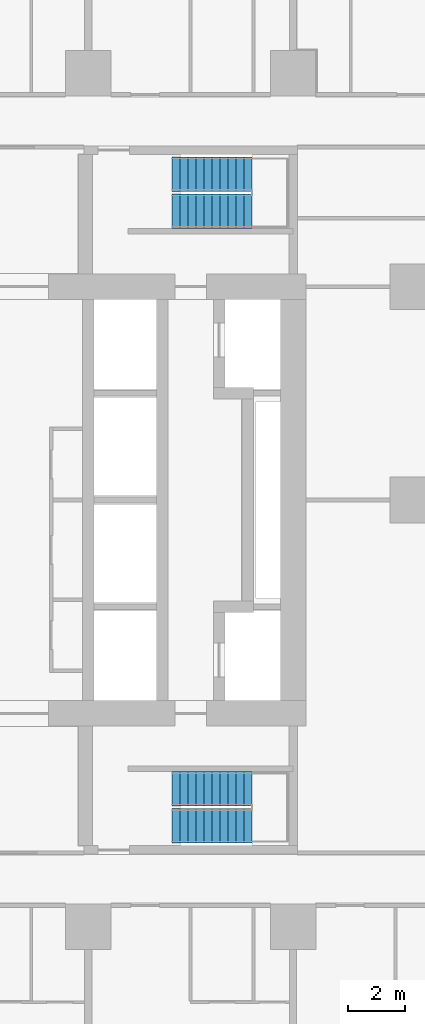
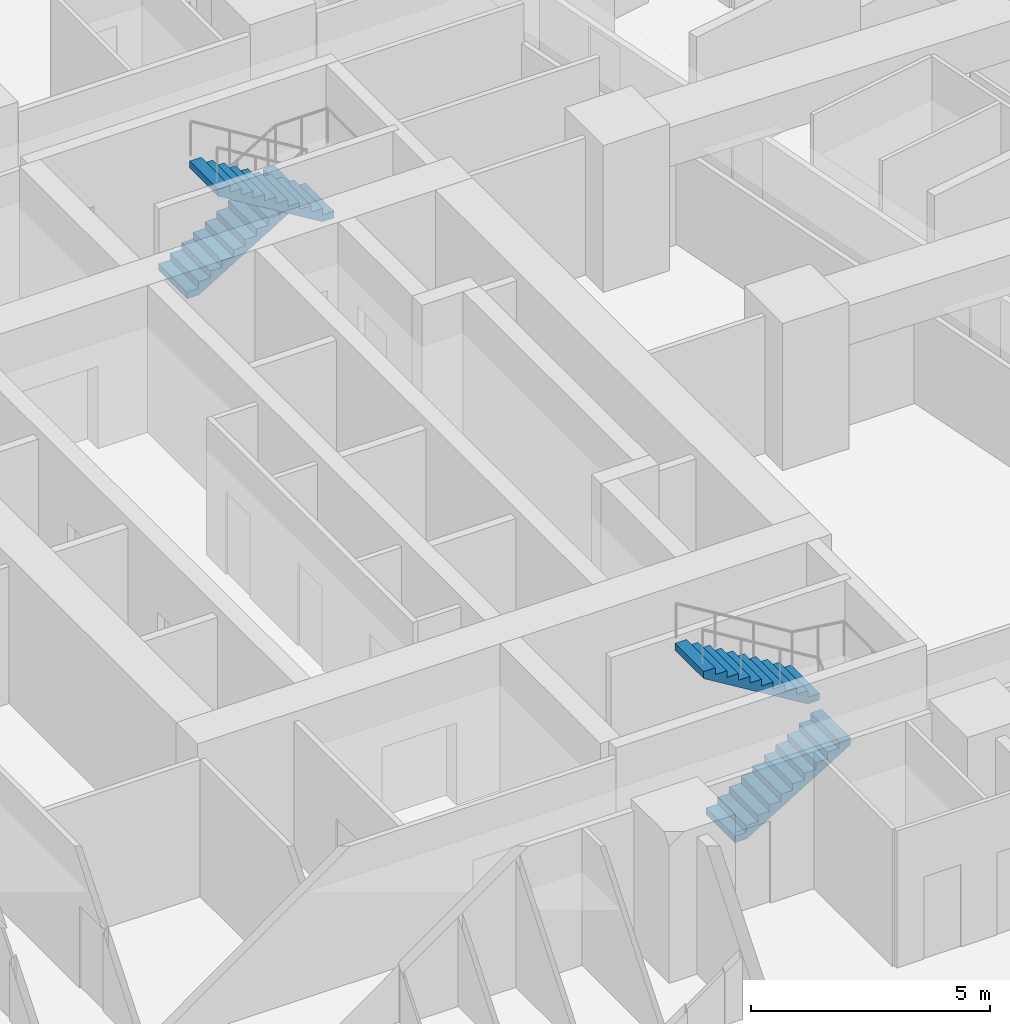
# One storey, part 11 of 14: 4 stair flights, 2 elements without a shape of their own.
"""IFC4 building model written with IfcOpenShell, lengths in metres."""

import ifcopenshell
import ifcopenshell.guid

model = None  # the IFC model being written
_history = None  # IfcOwnerHistory: only IFC2X3 demands one
_inside = {}  # id of a spatial element -> (the spatial element, [elements in it])
_under = {}  # id of a project, library or spatial element -> (it, [spatial elements below it])
_declared = {}  # id of a project -> (the project, [libraries it declares])
_typed = {}  # id of a type object -> (the type object, [elements of that type])
_made_of = {}  # id of a material, layer set ... -> (it, [elements and type objects made of it])


def new_model(schema):
    """Start an empty IFC model of exactly this schema.

    Asked for "IFC4X3", IfcOpenShell would pick the latest addendum, in which some entities
    have other attributes; the version numbers below select the first issue.
    IFC2X3 requires an IfcOwnerHistory on every rooted entity: one is made here for all.
    """
    global model, _history
    if schema == "IFC4X3":
        model = ifcopenshell.file(schema_version=(4, 3, 0, 0))
    else:
        model = ifcopenshell.file(schema=schema)
    _inside.clear()
    _under.clear()
    _declared.clear()
    _typed.clear()
    _made_of.clear()
    _history = None
    if model.schema == "IFC2X3":
        org = make("IfcOrganization", Name="unknown")
        user = make(
            "IfcPersonAndOrganization",
            ThePerson=make("IfcPerson", FamilyName="unknown"),
            TheOrganization=org,
        )
        app = make(
            "IfcApplication",
            ApplicationDeveloper=org,
            Version="unknown",
            ApplicationFullName="unknown",
            ApplicationIdentifier="unknown",
        )
        _history = make(
            "IfcOwnerHistory",
            OwningUser=user,
            OwningApplication=app,
            ChangeAction="ADDED",
            CreationDate=0,
        )
    return model


def make(cls, **values):
    """One entity of the class cls with the attributes given. An attribute that is None is left unset."""
    return model.create_entity(
        cls, **{name: value for name, value in values.items() if value is not None}
    )


def rooted(cls, **values):
    """An entity with a GlobalId (a new one), such as an element, a storey or a relation."""
    return make(cls, GlobalId=ifcopenshell.guid.new(), OwnerHistory=_history, **values)


def si_unit(unit_type, name, prefix=None):
    """IfcSIUnit, for example si_unit("LENGTHUNIT", "METRE", prefix="MILLI")."""
    return make("IfcSIUnit", UnitType=unit_type, Prefix=prefix, Name=name)


def assignment(units):
    """IfcUnitAssignment: the units of a project."""
    return None if units is None else make("IfcUnitAssignment", Units=units)


def point(xyz):
    """IfcCartesianPoint."""
    return None if xyz is None else make("IfcCartesianPoint", Coordinates=xyz)


def direction(xyz):
    """IfcDirection."""
    return None if xyz is None else make("IfcDirection", DirectionRatios=xyz)


def frame(location, z_axis=None, x_axis=None):
    """IfcAxis2Placement3D, a coordinate frame: its origin and axes. An axis left out is left unset."""
    return make(
        "IfcAxis2Placement3D",
        Location=point(location),
        Axis=direction(z_axis),
        RefDirection=direction(x_axis),
    )


def origin():
    """The frame at (0, 0, 0) with its axes left unset."""
    return frame((0.0, 0.0, 0.0))


def place(relative_to, where):
    """IfcLocalPlacement: puts the frame where relative to a parent placement (None: the world)."""
    return make(
        "IfcLocalPlacement", PlacementRelTo=relative_to, RelativePlacement=where
    )


def context(
    kind, dimensions, precision=None, world=None, true_north=None, identifier=None
):
    """IfcGeometricRepresentationContext, for example the 3D "Model" context."""
    return make(
        "IfcGeometricRepresentationContext",
        ContextIdentifier=identifier,
        ContextType=kind,
        CoordinateSpaceDimension=dimensions,
        Precision=precision,
        WorldCoordinateSystem=world,
        TrueNorth=true_north,
    )


def subcontext(parent, identifier, kind, view, scale=None):
    """IfcGeometricRepresentationSubContext, for example "Body" below "Model"."""
    return make(
        "IfcGeometricRepresentationSubContext",
        ContextIdentifier=identifier,
        ContextType=kind,
        ParentContext=parent,
        TargetScale=scale,
        TargetView=view,
    )


def project(units=None, contexts=None):
    """IfcProject with its units and contexts."""
    return rooted(
        "IfcProject",
        Name="project",
        RepresentationContexts=contexts,
        UnitsInContext=assignment(units),
    )


def spatial(cls, under=None, at=None, **own):
    """A site, building, storey or space (cls), placed at a placement, below another one or the project."""
    s = rooted(cls, ObjectPlacement=at, **own)
    if under is not None:
        _under.setdefault(under.id(), (under, []))[1].append(s)
    return s


def point_list(points):
    """IfcCartesianPointList2D or 3D."""
    cls = (
        "IfcCartesianPointList2D" if len(points[0]) == 2 else "IfcCartesianPointList3D"
    )
    return make(cls, CoordList=points)


def triangles(points, corners, closed=None, point_numbers=None):
    """IfcTriangulatedFaceSet: each triangle names its three corners, points numbered from 1."""
    return make(
        "IfcTriangulatedFaceSet",
        Coordinates=point_list(points),
        Closed=closed,
        CoordIndex=corners,
        PnIndex=point_numbers,
    )


def shape(context_of_items, identifier, shape_type, items):
    """IfcShapeRepresentation: the items that make up one representation, for example the "Body"."""
    return make(
        "IfcShapeRepresentation",
        ContextOfItems=context_of_items,
        RepresentationIdentifier=identifier,
        RepresentationType=shape_type,
        Items=items,
    )


def material(Name=None, Category=None):
    """IfcMaterial."""
    return make("IfcMaterial", Name=Name, Category=Category)


def made_of(thing, what):
    """Note that an element or type object is made of a material, layer set ...; save() writes the relation."""
    if what is not None:
        _made_of.setdefault(what.id(), (what, []))[1].append(thing)
    return thing


def type_object(cls, material=None, **own):
    """A type object (cls), such as IfcWallType, which elements share."""
    return made_of(rooted(cls, **own), material)


def element(
    cls,
    number,
    at=None,
    inside=None,
    cuts=None,
    type_object=None,
    material=None,
    context=None,
    identifier="Body",
    shape_type=None,
    held_by="IfcProductDefinitionShape",
    body=None,
    shapes=None,
    **own,
):
    """One element of the class cls, such as IfcWall. Its Tag is "e" and its number.

    at: its placement. inside: the storey or other place that contains it. cuts: it is an
    opening in that element (IfcRelVoidsElement). A single representation is given by context,
    identifier, shape_type and body (its items); several are given by shapes. held_by: the class
    of the entity that holds the representations. save() writes the other relations.
    """
    e = rooted(cls, Tag="e%d" % number, ObjectPlacement=at, **own)
    if body is not None:
        shapes = [shape(context, identifier, shape_type, body)]
    if shapes is not None:
        e.Representation = make(held_by, Representations=shapes)
    if inside is not None:
        _inside.setdefault(inside.id(), (inside, []))[1].append(e)
    if cuts is not None:
        rooted(
            "IfcRelVoidsElement", RelatingBuildingElement=cuts, RelatedOpeningElement=e
        )
    if type_object is not None:
        _typed.setdefault(type_object.id(), (type_object, []))[1].append(e)
    return made_of(e, material)


def aggregate(whole, parts):
    """IfcRelAggregates: a whole, such as a stair, and the parts it consists of."""
    return rooted("IfcRelAggregates", RelatingObject=whole, RelatedObjects=parts)


def save(model, path):
    """Write the relations noted so far, then the file.

    IfcRelAggregates (storeys below a building ...), IfcRelContainedInSpatialStructure (elements
    in a storey), IfcRelDefinesByType, IfcRelAssociatesMaterial and IfcRelDeclares: one each for
    every whole, place, type object, material and project.
    """
    for whole, parts in _under.values():
        aggregate(whole, parts)
    for where, things in _inside.values():
        rooted(
            "IfcRelContainedInSpatialStructure",
            RelatedElements=things,
            RelatingStructure=where,
        )
    for kind, things in _typed.values():
        rooted("IfcRelDefinesByType", RelatedObjects=things, RelatingType=kind)
    for what, things in _made_of.values():
        rooted("IfcRelAssociatesMaterial", RelatedObjects=things, RelatingMaterial=what)
    for by, libraries in _declared.values():
        rooted("IfcRelDeclares", RelatingContext=by, RelatedDefinitions=libraries)
    model.write(path)


model = new_model("IFC4")

# Units and contexts
model_context = context("Model", 3, precision=1e-05, world=origin(), true_north=direction((0.0, 1.0)))
body_context = subcontext(model_context, "Body", "Model", "MODEL_VIEW")
ifc_project = project(units=[si_unit("LENGTHUNIT", "METRE"), si_unit("AREAUNIT", "SQUARE_METRE"), si_unit("VOLUMEUNIT", "CUBIC_METRE"), si_unit("PLANEANGLEUNIT", "RADIAN"), si_unit("MASSUNIT", "GRAM", prefix="KILO")], contexts=[model_context])

# Site, building, storey
site_placement = place(None, origin())
site = spatial("IfcSite", under=ifc_project, at=site_placement, CompositionType="ELEMENT")
building_placement = place(site_placement, origin())
building = spatial("IfcBuilding", under=site, at=building_placement, Name="Sheger Commons Tower", CompositionType="ELEMENT")
storey_placement = place(building_placement, frame((0.0, 0.0, 122.89990234375)))
storey = spatial("IfcBuildingStorey", under=building, at=storey_placement, Name="L31", CompositionType="ELEMENT", Elevation=122.89990234375)

# Stair, stair flights
ifc_material_1 = material(Name="Concrete C35/45", Category="concrete")
stair_type = type_object("IfcStairType", Name="HALF-TURN STAIR 1200 RISE 3750", PredefinedType="HALF_TURN_STAIR", material=ifc_material_1)
stair_1_placement = place(storey_placement, origin())
stair_1 = element("IfcStair", 1, at=stair_1_placement, inside=storey, type_object=stair_type, Name="Stair S1 L31", PredefinedType="HALF_TURN_STAIR")
ifc_material_2 = material(Name="Concrete C35/45", Category="concrete")
stair_flight_type = type_object("IfcStairFlightType", Name="STAIR FLIGHT 1200 11 RISERS OF 170", PredefinedType="STRAIGHT", material=ifc_material_2)
stair_flight_1_placement = place(storey_placement, frame((24.550048828125, 11.050048828125, 0.0), z_axis=(0.0, 0.0, 1.0), x_axis=(1.0, 0.0, 0.0)))
stair_flight_1 = element("IfcStairFlight", 2, at=stair_flight_1_placement, type_object=stair_flight_type, Name="S1 flight 1", NumberOfRisers=11, NumberOfTreads=10, PredefinedType="STRAIGHT", RiserHeight=0.170454545, TreadLength=0.28, context=body_context, shape_type="Tessellation", body=[
    triangles([(0.0, 0.5999755859375, 0.0), (0.0, 0.5999755859375, 0.17041015625), (0.280029296875, 0.5999755859375, 0.17041015625), (0.280029296875, 0.5999755859375, 0.3408203125), (0.56005859375, 0.5999755859375, 0.3408203125), (0.56005859375, 0.5999755859375, 0.511474609375), (0.840087890625, 0.5999755859375, 0.511474609375), (0.840087890625, 0.5999755859375, 0.681884765625), (1.1201171875, 0.5999755859375, 0.681884765625), (1.1201171875, 0.5999755859375, 0.852294921875), (1.39990234375, 0.5999755859375, 0.852294921875), (1.39990234375, 0.5999755859375, 1.022705078125), (1.679931640625, 0.5999755859375, 1.022705078125), (1.679931640625, 0.5999755859375, 1.193115234375), (1.9599609375, 0.5999755859375, 1.193115234375), (1.9599609375, 0.5999755859375, 1.363525390625), (2.239990234375, 0.5999755859375, 1.363525390625), (2.239990234375, 0.5999755859375, 1.5341796875), (2.52001953125, 0.5999755859375, 1.5341796875), (2.52001953125, 0.5999755859375, 1.70458984375), (2.800048828125, 0.5999755859375, 1.70458984375), (2.800048828125, 0.5999755859375, 1.529052734375), (0.288330078125, 0.5999755859375, 0.0), (0.0, -0.5999755859375, 0.0), (0.0, -0.5999755859375, 0.17041015625), (0.280029296875, -0.5999755859375, 0.17041015625), (0.280029296875, -0.5999755859375, 0.3408203125), (0.56005859375, -0.5999755859375, 0.3408203125), (0.56005859375, -0.5999755859375, 0.511474609375), (0.840087890625, -0.5999755859375, 0.511474609375), (0.840087890625, -0.5999755859375, 0.681884765625), (1.1201171875, -0.5999755859375, 0.681884765625), (1.1201171875, -0.5999755859375, 0.852294921875), (1.39990234375, -0.5999755859375, 0.852294921875), (1.39990234375, -0.5999755859375, 1.022705078125), (1.679931640625, -0.5999755859375, 1.022705078125), (1.679931640625, -0.5999755859375, 1.193115234375), (1.9599609375, -0.5999755859375, 1.193115234375), (1.9599609375, -0.5999755859375, 1.363525390625), (2.239990234375, -0.5999755859375, 1.363525390625), (2.239990234375, -0.5999755859375, 1.5341796875), (2.52001953125, -0.5999755859375, 1.5341796875), (2.52001953125, -0.5999755859375, 1.70458984375), (2.800048828125, -0.5999755859375, 1.70458984375), (2.800048828125, -0.5999755859375, 1.529052734375), (0.288330078125, -0.5999755859375, 0.0), (0.0, 0.0, 0.085205078125), (0.1400146484375, 0.0, 0.17041015625), (0.280029296875, 0.0, 0.255615234375), (0.4200439453125, 0.0, 0.3408203125), (0.56005859375, 0.0, 0.4261474609375), (0.7000732421875, 0.0, 0.511474609375), (0.840087890625, 0.0, 0.5966796875), (0.9801025390625, 0.0, 0.681884765625), (1.1201171875, 0.0, 0.76708984375), (1.260009765625, 0.0, 0.852294921875), (1.39990234375, 0.0, 0.9375), (1.5399169921875, 0.0, 1.022705078125), (1.679931640625, 0.0, 1.10791015625), (1.8199462890625, 0.0, 1.193115234375), (1.9599609375, 0.0, 1.2783203125), (2.0999755859375, 0.0, 1.363525390625), (2.239990234375, 0.0, 1.4488525390625), (2.3800048828125, 0.0, 1.5341796875), (2.52001953125, 0.0, 1.619384765625), (2.6600341796875, 0.0, 1.70458984375), (2.800048828125, 0.0, 1.6168212890625), (1.544189453125, 0.0, 0.7645263671875), (0.1441650390625, 0.0, 0.0)], [[1, 22, 23], [24, 46, 45], [22, 20, 21], [45, 44, 43], [22, 19, 20], [45, 43, 42], [22, 18, 19], [45, 42, 41], [22, 17, 18], [45, 41, 40], [17, 15, 16], [40, 39, 38], [22, 15, 17], [45, 40, 38], [15, 13, 14], [38, 37, 36], [22, 13, 15], [45, 38, 36], [13, 11, 12], [36, 35, 34], [22, 11, 13], [45, 36, 34], [11, 9, 10], [34, 33, 32], [22, 9, 11], [45, 34, 32], [9, 7, 8], [32, 31, 30], [22, 7, 9], [45, 32, 30], [7, 5, 6], [30, 29, 28], [22, 5, 7], [45, 30, 28], [5, 3, 4], [28, 27, 26], [22, 3, 5], [45, 28, 26], [1, 3, 22], [24, 45, 26], [3, 1, 2], [26, 25, 24], [1, 47, 2], [2, 47, 25], [25, 47, 24], [24, 47, 1], [2, 48, 3], [3, 48, 26], [26, 48, 25], [25, 48, 2], [3, 49, 4], [4, 49, 27], [27, 49, 26], [26, 49, 3], [4, 50, 5], [5, 50, 28], [28, 50, 27], [27, 50, 4], [5, 51, 6], [6, 51, 29], [29, 51, 28], [28, 51, 5], [6, 52, 7], [7, 52, 30], [30, 52, 29], [29, 52, 6], [7, 53, 8], [8, 53, 31], [31, 53, 30], [30, 53, 7], [8, 54, 9], [9, 54, 32], [32, 54, 31], [31, 54, 8], [9, 55, 10], [10, 55, 33], [33, 55, 32], [32, 55, 9], [10, 56, 11], [11, 56, 34], [34, 56, 33], [33, 56, 10], [11, 57, 12], [12, 57, 35], [35, 57, 34], [34, 57, 11], [12, 58, 13], [13, 58, 36], [36, 58, 35], [35, 58, 12], [13, 59, 14], [14, 59, 37], [37, 59, 36], [36, 59, 13], [14, 60, 15], [15, 60, 38], [38, 60, 37], [37, 60, 14], [15, 61, 16], [16, 61, 39], [39, 61, 38], [38, 61, 15], [16, 62, 17], [17, 62, 40], [40, 62, 39], [39, 62, 16], [17, 63, 18], [18, 63, 41], [41, 63, 40], [40, 63, 17], [18, 64, 19], [19, 64, 42], [42, 64, 41], [41, 64, 18], [19, 65, 20], [20, 65, 43], [43, 65, 42], [42, 65, 19], [20, 66, 21], [21, 66, 44], [44, 66, 43], [43, 66, 20], [21, 67, 22], [22, 67, 45], [45, 67, 44], [44, 67, 21], [22, 68, 23], [23, 68, 46], [46, 68, 45], [45, 68, 22], [23, 69, 1], [1, 69, 24], [24, 69, 46], [46, 69, 23]], closed=True),
])
stair_flight_2_placement = place(storey_placement, frame((27.35009765625, 12.35009765625, 1.875), z_axis=(0.0, 0.0, 1.0), x_axis=(-1.0, 0.0, 0.0)))
stair_flight_2 = element("IfcStairFlight", 3, at=stair_flight_2_placement, type_object=stair_flight_type, Name="S1 flight 2", NumberOfRisers=11, NumberOfTreads=10, PredefinedType="STRAIGHT", RiserHeight=0.170454545, TreadLength=0.28, context=body_context, shape_type="Tessellation", body=[
    triangles([(0.0, 0.5999755859375, 0.0), (0.0, 0.5999755859375, 0.17041015625), (0.280029296875, 0.5999755859375, 0.17041015625), (0.280029296875, 0.5999755859375, 0.3408203125), (0.56005859375, 0.5999755859375, 0.3408203125), (0.56005859375, 0.5999755859375, 0.511474609375), (0.840087890625, 0.5999755859375, 0.511474609375), (0.840087890625, 0.5999755859375, 0.681884765625), (1.1201171875, 0.5999755859375, 0.681884765625), (1.1201171875, 0.5999755859375, 0.852294921875), (1.39990234375, 0.5999755859375, 0.852294921875), (1.39990234375, 0.5999755859375, 1.022705078125), (1.679931640625, 0.5999755859375, 1.022705078125), (1.679931640625, 0.5999755859375, 1.193115234375), (1.9599609375, 0.5999755859375, 1.193115234375), (1.9599609375, 0.5999755859375, 1.363525390625), (2.239990234375, 0.5999755859375, 1.363525390625), (2.239990234375, 0.5999755859375, 1.5341796875), (2.52001953125, 0.5999755859375, 1.5341796875), (2.52001953125, 0.5999755859375, 1.70458984375), (2.800048828125, 0.5999755859375, 1.70458984375), (2.800048828125, 0.5999755859375, 1.529052734375), (0.288330078125, 0.5999755859375, 0.0), (0.0, -0.5999755859375, 0.0), (0.0, -0.5999755859375, 0.17041015625), (0.280029296875, -0.5999755859375, 0.17041015625), (0.280029296875, -0.5999755859375, 0.3408203125), (0.56005859375, -0.5999755859375, 0.3408203125), (0.56005859375, -0.5999755859375, 0.511474609375), (0.840087890625, -0.5999755859375, 0.511474609375), (0.840087890625, -0.5999755859375, 0.681884765625), (1.1201171875, -0.5999755859375, 0.681884765625), (1.1201171875, -0.5999755859375, 0.852294921875), (1.39990234375, -0.5999755859375, 0.852294921875), (1.39990234375, -0.5999755859375, 1.022705078125), (1.679931640625, -0.5999755859375, 1.022705078125), (1.679931640625, -0.5999755859375, 1.193115234375), (1.9599609375, -0.5999755859375, 1.193115234375), (1.9599609375, -0.5999755859375, 1.363525390625), (2.239990234375, -0.5999755859375, 1.363525390625), (2.239990234375, -0.5999755859375, 1.5341796875), (2.52001953125, -0.5999755859375, 1.5341796875), (2.52001953125, -0.5999755859375, 1.70458984375), (2.800048828125, -0.5999755859375, 1.70458984375), (2.800048828125, -0.5999755859375, 1.529052734375), (0.288330078125, -0.5999755859375, 0.0), (0.0, 0.0, 0.085205078125), (0.1400146484375, 0.0, 0.17041015625), (0.280029296875, 0.0, 0.255615234375), (0.4200439453125, 0.0, 0.3408203125), (0.56005859375, 0.0, 0.4261474609375), (0.7000732421875, 0.0, 0.511474609375), (0.840087890625, 0.0, 0.5966796875), (0.9801025390625, 0.0, 0.681884765625), (1.1201171875, 0.0, 0.76708984375), (1.260009765625, 0.0, 0.852294921875), (1.39990234375, 0.0, 0.9375), (1.5399169921875, 0.0, 1.022705078125), (1.679931640625, 0.0, 1.10791015625), (1.8199462890625, 0.0, 1.193115234375), (1.9599609375, 0.0, 1.2783203125), (2.0999755859375, 0.0, 1.363525390625), (2.239990234375, 0.0, 1.4488525390625), (2.3800048828125, 0.0, 1.5341796875), (2.52001953125, 0.0, 1.619384765625), (2.6600341796875, 0.0, 1.70458984375), (2.800048828125, 0.0, 1.6168212890625), (1.544189453125, 0.0, 0.7645263671875), (0.1441650390625, 0.0, 0.0)], [[1, 22, 23], [24, 46, 45], [22, 20, 21], [45, 44, 43], [22, 19, 20], [45, 43, 42], [22, 18, 19], [45, 42, 41], [22, 17, 18], [45, 41, 40], [17, 15, 16], [40, 39, 38], [22, 15, 17], [45, 40, 38], [15, 13, 14], [38, 37, 36], [22, 13, 15], [45, 38, 36], [13, 11, 12], [36, 35, 34], [22, 11, 13], [45, 36, 34], [11, 9, 10], [34, 33, 32], [22, 9, 11], [45, 34, 32], [9, 7, 8], [32, 31, 30], [22, 7, 9], [45, 32, 30], [7, 5, 6], [30, 29, 28], [22, 5, 7], [45, 30, 28], [5, 3, 4], [28, 27, 26], [22, 3, 5], [45, 28, 26], [1, 3, 22], [24, 45, 26], [3, 1, 2], [26, 25, 24], [1, 47, 2], [2, 47, 25], [25, 47, 24], [24, 47, 1], [2, 48, 3], [3, 48, 26], [26, 48, 25], [25, 48, 2], [3, 49, 4], [4, 49, 27], [27, 49, 26], [26, 49, 3], [4, 50, 5], [5, 50, 28], [28, 50, 27], [27, 50, 4], [5, 51, 6], [6, 51, 29], [29, 51, 28], [28, 51, 5], [6, 52, 7], [7, 52, 30], [30, 52, 29], [29, 52, 6], [7, 53, 8], [8, 53, 31], [31, 53, 30], [30, 53, 7], [8, 54, 9], [9, 54, 32], [32, 54, 31], [31, 54, 8], [9, 55, 10], [10, 55, 33], [33, 55, 32], [32, 55, 9], [10, 56, 11], [11, 56, 34], [34, 56, 33], [33, 56, 10], [11, 57, 12], [12, 57, 35], [35, 57, 34], [34, 57, 11], [12, 58, 13], [13, 58, 36], [36, 58, 35], [35, 58, 12], [13, 59, 14], [14, 59, 37], [37, 59, 36], [36, 59, 13], [14, 60, 15], [15, 60, 38], [38, 60, 37], [37, 60, 14], [15, 61, 16], [16, 61, 39], [39, 61, 38], [38, 61, 15], [16, 62, 17], [17, 62, 40], [40, 62, 39], [39, 62, 16], [17, 63, 18], [18, 63, 41], [41, 63, 40], [40, 63, 17], [18, 64, 19], [19, 64, 42], [42, 64, 41], [41, 64, 18], [19, 65, 20], [20, 65, 43], [43, 65, 42], [42, 65, 19], [20, 66, 21], [21, 66, 44], [44, 66, 43], [43, 66, 20], [21, 67, 22], [22, 67, 45], [45, 67, 44], [44, 67, 21], [22, 68, 23], [23, 68, 46], [46, 68, 45], [45, 68, 22], [23, 69, 1], [1, 69, 24], [24, 69, 46], [46, 69, 23]], closed=True),
])
aggregate(stair_1, [stair_flight_1, stair_flight_2])

stair_2_placement = place(storey_placement, origin())
stair_2 = element("IfcStair", 4, at=stair_2_placement, inside=storey, type_object=stair_type, Name="Stair S2 L31", PredefinedType="HALF_TURN_STAIR")
stair_flight_3_placement = place(storey_placement, frame((24.550048828125, 33.949951171875, 0.0), z_axis=(0.0, 0.0, 1.0), x_axis=(1.0, 0.0, 0.0)))
stair_flight_3 = element("IfcStairFlight", 5, at=stair_flight_3_placement, type_object=stair_flight_type, Name="S2 flight 1", NumberOfRisers=11, NumberOfTreads=10, PredefinedType="STRAIGHT", RiserHeight=0.170454545, TreadLength=0.28, context=body_context, shape_type="Tessellation", body=[
    triangles([(0.0, 0.5999755859375, 0.0), (0.0, 0.5999755859375, 0.17041015625), (0.280029296875, 0.5999755859375, 0.17041015625), (0.280029296875, 0.5999755859375, 0.3408203125), (0.56005859375, 0.5999755859375, 0.3408203125), (0.56005859375, 0.5999755859375, 0.511474609375), (0.840087890625, 0.5999755859375, 0.511474609375), (0.840087890625, 0.5999755859375, 0.681884765625), (1.1201171875, 0.5999755859375, 0.681884765625), (1.1201171875, 0.5999755859375, 0.852294921875), (1.39990234375, 0.5999755859375, 0.852294921875), (1.39990234375, 0.5999755859375, 1.022705078125), (1.679931640625, 0.5999755859375, 1.022705078125), (1.679931640625, 0.5999755859375, 1.193115234375), (1.9599609375, 0.5999755859375, 1.193115234375), (1.9599609375, 0.5999755859375, 1.363525390625), (2.239990234375, 0.5999755859375, 1.363525390625), (2.239990234375, 0.5999755859375, 1.5341796875), (2.52001953125, 0.5999755859375, 1.5341796875), (2.52001953125, 0.5999755859375, 1.70458984375), (2.800048828125, 0.5999755859375, 1.70458984375), (2.800048828125, 0.5999755859375, 1.529052734375), (0.288330078125, 0.5999755859375, 0.0), (0.0, -0.5999755859375, 0.0), (0.0, -0.5999755859375, 0.17041015625), (0.280029296875, -0.5999755859375, 0.17041015625), (0.280029296875, -0.5999755859375, 0.3408203125), (0.56005859375, -0.5999755859375, 0.3408203125), (0.56005859375, -0.5999755859375, 0.511474609375), (0.840087890625, -0.5999755859375, 0.511474609375), (0.840087890625, -0.5999755859375, 0.681884765625), (1.1201171875, -0.5999755859375, 0.681884765625), (1.1201171875, -0.5999755859375, 0.852294921875), (1.39990234375, -0.5999755859375, 0.852294921875), (1.39990234375, -0.5999755859375, 1.022705078125), (1.679931640625, -0.5999755859375, 1.022705078125), (1.679931640625, -0.5999755859375, 1.193115234375), (1.9599609375, -0.5999755859375, 1.193115234375), (1.9599609375, -0.5999755859375, 1.363525390625), (2.239990234375, -0.5999755859375, 1.363525390625), (2.239990234375, -0.5999755859375, 1.5341796875), (2.52001953125, -0.5999755859375, 1.5341796875), (2.52001953125, -0.5999755859375, 1.70458984375), (2.800048828125, -0.5999755859375, 1.70458984375), (2.800048828125, -0.5999755859375, 1.529052734375), (0.288330078125, -0.5999755859375, 0.0), (0.0, 0.0, 0.085205078125), (0.1400146484375, 0.0, 0.17041015625), (0.280029296875, 0.0, 0.255615234375), (0.4200439453125, 0.0, 0.3408203125), (0.56005859375, 0.0, 0.4261474609375), (0.7000732421875, 0.0, 0.511474609375), (0.840087890625, 0.0, 0.5966796875), (0.9801025390625, 0.0, 0.681884765625), (1.1201171875, 0.0, 0.76708984375), (1.260009765625, 0.0, 0.852294921875), (1.39990234375, 0.0, 0.9375), (1.5399169921875, 0.0, 1.022705078125), (1.679931640625, 0.0, 1.10791015625), (1.8199462890625, 0.0, 1.193115234375), (1.9599609375, 0.0, 1.2783203125), (2.0999755859375, 0.0, 1.363525390625), (2.239990234375, 0.0, 1.4488525390625), (2.3800048828125, 0.0, 1.5341796875), (2.52001953125, 0.0, 1.619384765625), (2.6600341796875, 0.0, 1.70458984375), (2.800048828125, 0.0, 1.6168212890625), (1.544189453125, 0.0, 0.7645263671875), (0.1441650390625, 0.0, 0.0)], [[1, 22, 23], [24, 46, 45], [22, 20, 21], [45, 44, 43], [22, 19, 20], [45, 43, 42], [22, 18, 19], [45, 42, 41], [22, 17, 18], [45, 41, 40], [17, 15, 16], [40, 39, 38], [22, 15, 17], [45, 40, 38], [15, 13, 14], [38, 37, 36], [22, 13, 15], [45, 38, 36], [13, 11, 12], [36, 35, 34], [22, 11, 13], [45, 36, 34], [11, 9, 10], [34, 33, 32], [22, 9, 11], [45, 34, 32], [9, 7, 8], [32, 31, 30], [22, 7, 9], [45, 32, 30], [7, 5, 6], [30, 29, 28], [22, 5, 7], [45, 30, 28], [5, 3, 4], [28, 27, 26], [22, 3, 5], [45, 28, 26], [1, 3, 22], [24, 45, 26], [3, 1, 2], [26, 25, 24], [1, 47, 2], [2, 47, 25], [25, 47, 24], [24, 47, 1], [2, 48, 3], [3, 48, 26], [26, 48, 25], [25, 48, 2], [3, 49, 4], [4, 49, 27], [27, 49, 26], [26, 49, 3], [4, 50, 5], [5, 50, 28], [28, 50, 27], [27, 50, 4], [5, 51, 6], [6, 51, 29], [29, 51, 28], [28, 51, 5], [6, 52, 7], [7, 52, 30], [30, 52, 29], [29, 52, 6], [7, 53, 8], [8, 53, 31], [31, 53, 30], [30, 53, 7], [8, 54, 9], [9, 54, 32], [32, 54, 31], [31, 54, 8], [9, 55, 10], [10, 55, 33], [33, 55, 32], [32, 55, 9], [10, 56, 11], [11, 56, 34], [34, 56, 33], [33, 56, 10], [11, 57, 12], [12, 57, 35], [35, 57, 34], [34, 57, 11], [12, 58, 13], [13, 58, 36], [36, 58, 35], [35, 58, 12], [13, 59, 14], [14, 59, 37], [37, 59, 36], [36, 59, 13], [14, 60, 15], [15, 60, 38], [38, 60, 37], [37, 60, 14], [15, 61, 16], [16, 61, 39], [39, 61, 38], [38, 61, 15], [16, 62, 17], [17, 62, 40], [40, 62, 39], [39, 62, 16], [17, 63, 18], [18, 63, 41], [41, 63, 40], [40, 63, 17], [18, 64, 19], [19, 64, 42], [42, 64, 41], [41, 64, 18], [19, 65, 20], [20, 65, 43], [43, 65, 42], [42, 65, 19], [20, 66, 21], [21, 66, 44], [44, 66, 43], [43, 66, 20], [21, 67, 22], [22, 67, 45], [45, 67, 44], [44, 67, 21], [22, 68, 23], [23, 68, 46], [46, 68, 45], [45, 68, 22], [23, 69, 1], [1, 69, 24], [24, 69, 46], [46, 69, 23]], closed=True),
])
stair_flight_4_placement = place(storey_placement, frame((27.35009765625, 32.64990234375, 1.875), z_axis=(0.0, 0.0, 1.0), x_axis=(-1.0, 0.0, 0.0)))
stair_flight_4 = element("IfcStairFlight", 6, at=stair_flight_4_placement, type_object=stair_flight_type, Name="S2 flight 2", NumberOfRisers=11, NumberOfTreads=10, PredefinedType="STRAIGHT", RiserHeight=0.170454545, TreadLength=0.28, context=body_context, shape_type="Tessellation", body=[
    triangles([(0.0, 0.5999755859375, 0.0), (0.0, 0.5999755859375, 0.17041015625), (0.280029296875, 0.5999755859375, 0.17041015625), (0.280029296875, 0.5999755859375, 0.3408203125), (0.56005859375, 0.5999755859375, 0.3408203125), (0.56005859375, 0.5999755859375, 0.511474609375), (0.840087890625, 0.5999755859375, 0.511474609375), (0.840087890625, 0.5999755859375, 0.681884765625), (1.1201171875, 0.5999755859375, 0.681884765625), (1.1201171875, 0.5999755859375, 0.852294921875), (1.39990234375, 0.5999755859375, 0.852294921875), (1.39990234375, 0.5999755859375, 1.022705078125), (1.679931640625, 0.5999755859375, 1.022705078125), (1.679931640625, 0.5999755859375, 1.193115234375), (1.9599609375, 0.5999755859375, 1.193115234375), (1.9599609375, 0.5999755859375, 1.363525390625), (2.239990234375, 0.5999755859375, 1.363525390625), (2.239990234375, 0.5999755859375, 1.5341796875), (2.52001953125, 0.5999755859375, 1.5341796875), (2.52001953125, 0.5999755859375, 1.70458984375), (2.800048828125, 0.5999755859375, 1.70458984375), (2.800048828125, 0.5999755859375, 1.529052734375), (0.288330078125, 0.5999755859375, 0.0), (0.0, -0.5999755859375, 0.0), (0.0, -0.5999755859375, 0.17041015625), (0.280029296875, -0.5999755859375, 0.17041015625), (0.280029296875, -0.5999755859375, 0.3408203125), (0.56005859375, -0.5999755859375, 0.3408203125), (0.56005859375, -0.5999755859375, 0.511474609375), (0.840087890625, -0.5999755859375, 0.511474609375), (0.840087890625, -0.5999755859375, 0.681884765625), (1.1201171875, -0.5999755859375, 0.681884765625), (1.1201171875, -0.5999755859375, 0.852294921875), (1.39990234375, -0.5999755859375, 0.852294921875), (1.39990234375, -0.5999755859375, 1.022705078125), (1.679931640625, -0.5999755859375, 1.022705078125), (1.679931640625, -0.5999755859375, 1.193115234375), (1.9599609375, -0.5999755859375, 1.193115234375), (1.9599609375, -0.5999755859375, 1.363525390625), (2.239990234375, -0.5999755859375, 1.363525390625), (2.239990234375, -0.5999755859375, 1.5341796875), (2.52001953125, -0.5999755859375, 1.5341796875), (2.52001953125, -0.5999755859375, 1.70458984375), (2.800048828125, -0.5999755859375, 1.70458984375), (2.800048828125, -0.5999755859375, 1.529052734375), (0.288330078125, -0.5999755859375, 0.0), (0.0, 0.0, 0.085205078125), (0.1400146484375, 0.0, 0.17041015625), (0.280029296875, 0.0, 0.255615234375), (0.4200439453125, 0.0, 0.3408203125), (0.56005859375, 0.0, 0.4261474609375), (0.7000732421875, 0.0, 0.511474609375), (0.840087890625, 0.0, 0.5966796875), (0.9801025390625, 0.0, 0.681884765625), (1.1201171875, 0.0, 0.76708984375), (1.260009765625, 0.0, 0.852294921875), (1.39990234375, 0.0, 0.9375), (1.5399169921875, 0.0, 1.022705078125), (1.679931640625, 0.0, 1.10791015625), (1.8199462890625, 0.0, 1.193115234375), (1.9599609375, 0.0, 1.2783203125), (2.0999755859375, 0.0, 1.363525390625), (2.239990234375, 0.0, 1.4488525390625), (2.3800048828125, 0.0, 1.5341796875), (2.52001953125, 0.0, 1.619384765625), (2.6600341796875, 0.0, 1.70458984375), (2.800048828125, 0.0, 1.6168212890625), (1.544189453125, 0.0, 0.7645263671875), (0.1441650390625, 0.0, 0.0)], [[1, 22, 23], [24, 46, 45], [22, 20, 21], [45, 44, 43], [22, 19, 20], [45, 43, 42], [22, 18, 19], [45, 42, 41], [22, 17, 18], [45, 41, 40], [17, 15, 16], [40, 39, 38], [22, 15, 17], [45, 40, 38], [15, 13, 14], [38, 37, 36], [22, 13, 15], [45, 38, 36], [13, 11, 12], [36, 35, 34], [22, 11, 13], [45, 36, 34], [11, 9, 10], [34, 33, 32], [22, 9, 11], [45, 34, 32], [9, 7, 8], [32, 31, 30], [22, 7, 9], [45, 32, 30], [7, 5, 6], [30, 29, 28], [22, 5, 7], [45, 30, 28], [5, 3, 4], [28, 27, 26], [22, 3, 5], [45, 28, 26], [1, 3, 22], [24, 45, 26], [3, 1, 2], [26, 25, 24], [1, 47, 2], [2, 47, 25], [25, 47, 24], [24, 47, 1], [2, 48, 3], [3, 48, 26], [26, 48, 25], [25, 48, 2], [3, 49, 4], [4, 49, 27], [27, 49, 26], [26, 49, 3], [4, 50, 5], [5, 50, 28], [28, 50, 27], [27, 50, 4], [5, 51, 6], [6, 51, 29], [29, 51, 28], [28, 51, 5], [6, 52, 7], [7, 52, 30], [30, 52, 29], [29, 52, 6], [7, 53, 8], [8, 53, 31], [31, 53, 30], [30, 53, 7], [8, 54, 9], [9, 54, 32], [32, 54, 31], [31, 54, 8], [9, 55, 10], [10, 55, 33], [33, 55, 32], [32, 55, 9], [10, 56, 11], [11, 56, 34], [34, 56, 33], [33, 56, 10], [11, 57, 12], [12, 57, 35], [35, 57, 34], [34, 57, 11], [12, 58, 13], [13, 58, 36], [36, 58, 35], [35, 58, 12], [13, 59, 14], [14, 59, 37], [37, 59, 36], [36, 59, 13], [14, 60, 15], [15, 60, 38], [38, 60, 37], [37, 60, 14], [15, 61, 16], [16, 61, 39], [39, 61, 38], [38, 61, 15], [16, 62, 17], [17, 62, 40], [40, 62, 39], [39, 62, 16], [17, 63, 18], [18, 63, 41], [41, 63, 40], [40, 63, 17], [18, 64, 19], [19, 64, 42], [42, 64, 41], [41, 64, 18], [19, 65, 20], [20, 65, 43], [43, 65, 42], [42, 65, 19], [20, 66, 21], [21, 66, 44], [44, 66, 43], [43, 66, 20], [21, 67, 22], [22, 67, 45], [45, 67, 44], [44, 67, 21], [22, 68, 23], [23, 68, 46], [46, 68, 45], [45, 68, 22], [23, 69, 1], [1, 69, 24], [24, 69, 46], [46, 69, 23]], closed=True),
])
aggregate(stair_2, [stair_flight_3, stair_flight_4])

save(model, "model.ifc")
